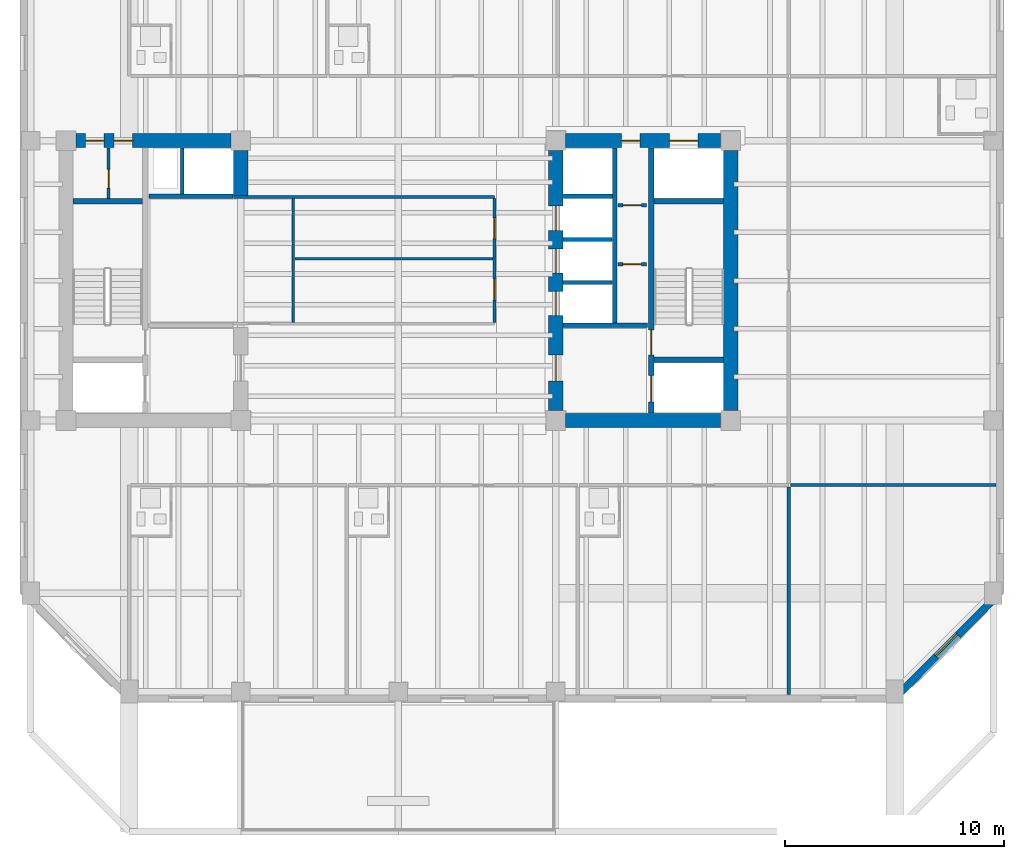
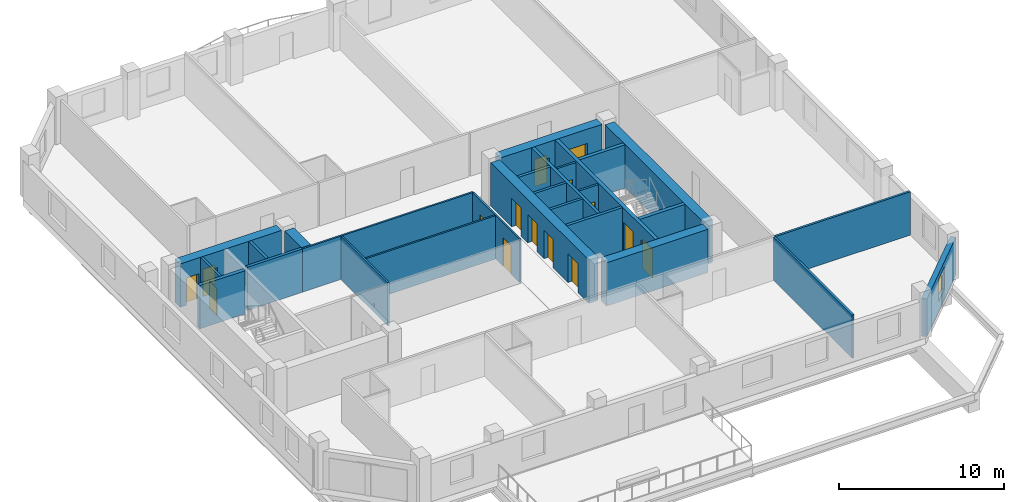
# One storey, part 4 of 10: 27 walls, 15 doors, 1 window, 16 openings.
"""IFC4 building model written with IfcOpenShell, lengths in metres."""

from ifc_helpers import new_model, si_unit, direction, frame, frame_2d, origin, place, context, subcontext, project, spatial, rectangle, extrude, material, layer, layer_set, type_object, element, fill, save


model = new_model("IFC4")

# Units and contexts
model_context = context("Model", 3, precision=1e-05, world=origin(), true_north=direction((0.0, 1.0)))
body_context = subcontext(model_context, "Body", "Model", "MODEL_VIEW")
ifc_project = project(units=[si_unit("LENGTHUNIT", "METRE"), si_unit("AREAUNIT", "SQUARE_METRE"), si_unit("VOLUMEUNIT", "CUBIC_METRE"), si_unit("PLANEANGLEUNIT", "RADIAN"), si_unit("MASSUNIT", "GRAM", prefix="KILO")], contexts=[model_context])

# Site, building, storey
site_placement = place(None, origin())
site = spatial("IfcSite", under=ifc_project, at=site_placement, CompositionType="ELEMENT")
building_placement = place(site_placement, origin())
building = spatial("IfcBuilding", under=site, at=building_placement, Name="Kranthara Brick Stack", CompositionType="ELEMENT")
storey_placement = place(building_placement, frame((0.0, 0.0, 162.300048828125)))
storey = spatial("IfcBuildingStorey", under=building, at=storey_placement, Name="L41", CompositionType="ELEMENT", Elevation=162.300048828125)

# Wall, opening, window
ifc_material_1 = material(Name="Kiln-fired clay brick masonry M15", Category="masonry")
ifc_layer_1 = layer(ifc_material_1, 0.35009765625)
ifc_layer_set_1 = layer_set([ifc_layer_1], Name="Kiln-fired clay brick masonry M15")
wall_type_1 = type_object("IfcWallType", Name="WL-BRK-SPND-350", PredefinedType="STANDARD", material=ifc_layer_set_1)
wall_1_placement = place(storey_placement, frame((55.5048828125, 12.89990234375, 0.0), z_axis=(0.0, 0.0, 1.0), x_axis=(-0.707106781187, -0.707106781187, 0.0)))
wall_1 = element("IfcWall", 1, at=wall_1_placement, inside=storey, type_object=wall_type_1, Name="L41 Exterior Brick Facade Wall SE 1", PredefinedType="STANDARD", context=body_context, shape_type="SweptSolid", body=[
    extrude(rectangle(XDim=6.795166015625, YDim=0.35009765625, at=frame_2d((3.3974609375, 0.0))), origin(), (0.0, 0.0, 1.0), 2.784912109375),
])
opening_1_placement = place(wall_1_placement, frame((2.697998046875, 0.0, 0.75)))
opening_1 = element("IfcOpeningElement", 2, at=opening_1_placement, cuts=wall_1, Name="Opening WN10", PredefinedType="OPENING", context=body_context, shape_type="SweptSolid", body=[
    extrude(rectangle(XDim=1.39990234375, YDim=1.64990234375, at=frame_2d((0.699951171875, 0.824951171875))), frame((0.0, 0.18505859375, 0.0), z_axis=(0.0, -1.0, 0.0), x_axis=(1.0, 0.0, 0.0)), (0.0, 0.0, 1.0), 0.3701171875),
])
ifc_material_2 = material(Name="Double-glazed low-E solar control glass", Category="glass")
window_type = type_object("IfcWindowType", Name="WN-CHM-1400x1750", PartitioningType="SINGLE_PANEL", PredefinedType="WINDOW", material=ifc_material_2)
window_placement = place(opening_1_placement, origin())
window = element("IfcWindow", 3, at=window_placement, inside=storey, type_object=window_type, Name="L41 SE Chamfer Corner Window", OverallHeight=1.64990234375, OverallWidth=1.39990234375, PartitioningType="SINGLE_PANEL", PredefinedType="WINDOW", context=body_context, shape_type="SweptSolid", body=[
    extrude(rectangle(XDim=1.39990234375, YDim=1.64990234375, at=frame_2d((0.699951171875, 0.824951171875))), frame((0.0, -0.010009765625, 0.0), z_axis=(0.0, -1.0, 0.0), x_axis=(1.0, 0.0, 0.0)), (0.0, 0.0, 1.0), 0.06005859375),
])
fill(opening_1, window)

# Wall
ifc_material_3 = material(Name="Concrete C50/60", Category="concrete")
ifc_layer_2 = layer(ifc_material_3, 0.25)
ifc_layer_set_2 = layer_set([ifc_layer_2], Name="Concrete C50/60")
wall_type_2 = type_object("IfcWallType", Name="WL-CORE-250", PredefinedType="SHEAR", material=ifc_layer_set_2)
wall_2_placement = place(storey_placement, frame((13.135009765625, 30.830078125, 0.0), z_axis=(0.0, 0.0, 1.0), x_axis=(1.0, 0.0, 0.0)))
element("IfcWall", 4, at=wall_2_placement, inside=storey, type_object=wall_type_2, Name="L41 West Stairwell Bearing Wall WST", PredefinedType="SHEAR", context=body_context, shape_type="SweptSolid", body=[
    extrude(rectangle(XDim=3.175048828125, YDim=0.25, at=frame_2d((1.58740234375, 0.0))), origin(), (0.0, 0.0, 1.0), 3.199951171875),
])

# Wall, openings, doors
wall_3_placement = place(storey_placement, frame((39.56494140625, 21.135009765625, 0.0), z_axis=(0.0, 0.0, 1.0), x_axis=(0.0, 1.0, 0.0)))
wall_3 = element("IfcWall", 5, at=wall_3_placement, inside=storey, type_object=wall_type_2, Name="L41 East Core Stair Bearing Spine Wall", PredefinedType="SHEAR", context=body_context, shape_type="SweptSolid", body=[
    extrude(rectangle(XDim=12.1298828125, YDim=0.25, at=frame_2d((6.06494140625, 0.0))), origin(), (0.0, 0.0, 1.0), 3.199951171875),
])
opening_2_placement = place(wall_3_placement, frame((0.514892578125, 0.0, 0.0)))
opening_2 = element("IfcOpeningElement", 6, at=opening_2_placement, cuts=wall_3, Name="Opening LD01", PredefinedType="OPENING", context=body_context, shape_type="SweptSolid", body=[
    extrude(rectangle(XDim=1.199951171875, YDim=2.14990234375, at=frame_2d((0.60009765625, 1.074951171875))), frame((0.0, 0.135009765625, 0.0), z_axis=(0.0, -1.0, 0.0), x_axis=(1.0, 0.0, 0.0)), (0.0, 0.0, 1.0), 0.27001953125),
])
opening_3_placement = place(wall_3_placement, frame((2.6650390625, 0.0, 0.0)))
opening_3 = element("IfcOpeningElement", 7, at=opening_3_placement, cuts=wall_3, Name="Opening D05", PredefinedType="OPENING", context=body_context, shape_type="SweptSolid", body=[
    extrude(rectangle(XDim=1.14990234375, YDim=2.14990234375, at=frame_2d((0.574951171875, 1.074951171875))), frame((0.0, 0.135009765625, 0.0), z_axis=(0.0, -1.0, 0.0), x_axis=(1.0, 0.0, 0.0)), (0.0, 0.0, 1.0), 0.27001953125),
])
ifc_material_4 = material(Name="Stainless steel sliding landing door", Category="steel")
door_type_1 = type_object("IfcDoorType", Name="DR-LD-FF1200", OperationType="DOUBLE_DOOR_SLIDING", PredefinedType="DOOR", material=ifc_material_4)
door_1_placement = place(opening_2_placement, origin())
door_1 = element("IfcDoor", 8, at=door_1_placement, inside=storey, type_object=door_type_1, Name="L41 Firefighting Lift FF-02 Landing Door", OperationType="DOUBLE_DOOR_SLIDING", OverallHeight=2.14990234375, OverallWidth=1.199951171875, PredefinedType="DOOR", context=body_context, shape_type="SweptSolid", body=[
    extrude(rectangle(XDim=1.199951171875, YDim=2.14990234375, at=frame_2d((0.60009765625, 1.074951171875))), frame((0.0, 0.02490234375, 0.0), z_axis=(0.0, -1.0, 0.0), x_axis=(1.0, 0.0, 0.0)), (0.0, 0.0, 1.0), 0.050048828125),
])
fill(opening_2, door_1)
ifc_material_5 = material(Name="Solid-core hardwood timber leaf in steel frame", Category="steel")
door_type_2 = type_object("IfcDoorType", Name="DR-ST-1150", OperationType="NOTDEFINED", PredefinedType="DOOR", material=ifc_material_5)
door_2_placement = place(opening_3_placement, origin())
door_2 = element("IfcDoor", 9, at=door_2_placement, inside=storey, type_object=door_type_2, Name="L41 Exit Stair ST02 Door", OperationType="SINGLE_SWING_LEFT", OverallHeight=2.14990234375, OverallWidth=1.14990234375, PredefinedType="DOOR", context=body_context, shape_type="SweptSolid", body=[
    extrude(rectangle(XDim=1.14990234375, YDim=2.14990234375, at=frame_2d((0.574951171875, 1.074951171875))), frame((0.0, 0.02490234375, 0.0), z_axis=(0.0, -1.0, 0.0), x_axis=(1.0, 0.0, 0.0)), (0.0, 0.0, 1.0), 0.050048828125),
])
fill(opening_3, door_2)

# Walls
for number, where, z_axis, x_axis, name in (
    (10, (39.68994140625, 23.570068359375, 0.0), (0.0, 0.0, 1.0), (1.0, 0.0, 0.0), "L41 East Stairwell Bearing Wall EFF"),
    (11, (39.68994140625, 30.830078125, 0.0), (0.0, 0.0, 1.0), (1.0, 0.0, 0.0), "L41 East Stairwell Bearing Wall EST"),
):
    element("IfcWall", number, at=place(storey_placement, frame(where, z_axis=z_axis, x_axis=x_axis)), inside=storey, type_object=wall_type_2, Name=name, PredefinedType="SHEAR", context=body_context, shape_type="SweptSolid", body=[
        extrude(rectangle(XDim=3.175048828125, YDim=0.25, at=frame_2d((1.58740234375, 0.0))), origin(), (0.0, 0.0, 1.0), 3.199951171875),
    ])

# Wall, openings, doors
ifc_material_6 = material(Name="Concrete C60/75", Category="concrete")
ifc_layer_3 = layer(ifc_material_6, 0.64990234375)
ifc_layer_set_3 = layer_set([ifc_layer_3], Name="Concrete C60/75")
wall_type_3 = type_object("IfcWallType", Name="WL-CORE-650", PredefinedType="SHEAR", material=ifc_layer_set_3)
wall_4_placement = place(storey_placement, frame((13.2548828125, 33.60009765625, 0.0), z_axis=(0.0, 0.0, 1.0), x_axis=(1.0, 0.0, 0.0)))
wall_4 = element("IfcWall", 12, at=wall_4_placement, inside=storey, type_object=wall_type_3, Name="L41 West Core Shear Wall North", PredefinedType="SHEAR", context=body_context, shape_type="SweptSolid", body=[
    extrude(rectangle(XDim=7.090087890625, YDim=0.64990234375, at=frame_2d((3.544921875, 0.0))), origin(), (0.0, 0.0, 1.0), 3.199951171875),
])
opening_4_placement = place(wall_4_placement, frame((0.445068359375, 0.0, 0.0)))
opening_4 = element("IfcOpeningElement", 13, at=opening_4_placement, cuts=wall_4, Name="Opening D10", PredefinedType="OPENING", context=body_context, shape_type="SweptSolid", body=[
    extrude(rectangle(XDim=0.85009765625, YDim=2.02001953125, at=frame_2d((0.425048828125, 1.010009765625))), frame((0.0, 0.3349609375, 0.0), z_axis=(0.0, -1.0, 0.0), x_axis=(1.0, 0.0, 0.0)), (0.0, 0.0, 1.0), 0.669921875),
])
opening_5_placement = place(wall_4_placement, frame((1.7451171875, 0.0, 0.0)))
opening_5 = element("IfcOpeningElement", 14, at=opening_5_placement, cuts=wall_4, Name="Opening D10", PredefinedType="OPENING", context=body_context, shape_type="SweptSolid", body=[
    extrude(rectangle(XDim=0.85009765625, YDim=2.02001953125, at=frame_2d((0.425048828125, 1.010009765625))), frame((0.0, 0.3349609375, 0.0), z_axis=(0.0, -1.0, 0.0), x_axis=(1.0, 0.0, 0.0)), (0.0, 0.0, 1.0), 0.669921875),
])
ifc_material_7 = material(Name="Solid-core hardwood timber leaf in steel frame", Category="steel")
door_type_3 = type_object("IfcDoorType", Name="DR-RSR-850", OperationType="NOTDEFINED", PredefinedType="DOOR", material=ifc_material_7)
door_3_placement = place(opening_4_placement, origin())
door_3 = element("IfcDoor", 15, at=door_3_placement, inside=storey, type_object=door_type_3, Name="L41 West Core Service Door 1", OperationType="SINGLE_SWING_LEFT", OverallHeight=2.02001953125, OverallWidth=0.85009765625, PredefinedType="DOOR", context=body_context, shape_type="SweptSolid", body=[
    extrude(rectangle(XDim=0.85009765625, YDim=2.02001953125, at=frame_2d((0.425048828125, 1.010009765625))), frame((0.0, 0.02490234375, 0.0), z_axis=(0.0, -1.0, 0.0), x_axis=(1.0, 0.0, 0.0)), (0.0, 0.0, 1.0), 0.050048828125),
])
fill(opening_4, door_3)
door_4_placement = place(opening_5_placement, origin())
door_4 = element("IfcDoor", 16, at=door_4_placement, inside=storey, type_object=door_type_3, Name="L41 West Core Service Door 2", OperationType="SINGLE_SWING_RIGHT", OverallHeight=2.02001953125, OverallWidth=0.85009765625, PredefinedType="DOOR", context=body_context, shape_type="SweptSolid", body=[
    extrude(rectangle(XDim=0.85009765625, YDim=2.02001953125, at=frame_2d((0.425048828125, 1.010009765625))), frame((0.0, 0.02490234375, 0.0), z_axis=(0.0, -1.0, 0.0), x_axis=(1.0, 0.0, 0.0)), (0.0, 0.0, 1.0), 0.050048828125),
])
fill(opening_5, door_4)

# Walls
wall_5_placement = place(storey_placement, frame((20.800048828125, 31.10009765625, 0.0), z_axis=(0.0, 0.0, 1.0), x_axis=(0.0, 1.0, 0.0)))
element("IfcWall", 17, at=wall_5_placement, inside=storey, type_object=wall_type_3, Name="L41 West Core High-Rise Lift Wall", PredefinedType="SHEAR", context=body_context, shape_type="SweptSolid", body=[
    extrude(rectangle(XDim=2.044921875, YDim=0.64990234375, at=frame_2d((1.0224609375, 0.0))), origin(), (0.0, 0.0, 1.0), 3.199951171875),
])
wall_6_placement = place(storey_placement, frame((43.199951171875, 21.2548828125, 0.0), z_axis=(0.0, 0.0, 1.0), x_axis=(0.0, 1.0, 0.0)))
element("IfcWall", 18, at=wall_6_placement, inside=storey, type_object=wall_type_3, Name="L41 East Core Shear Wall East", PredefinedType="SHEAR", context=body_context, shape_type="SweptSolid", body=[
    extrude(rectangle(XDim=11.89013671875, YDim=0.64990234375, at=frame_2d((5.945068359375, 0.0))), origin(), (0.0, 0.0, 1.0), 3.199951171875),
])
wall_7_placement = place(storey_placement, frame((35.655029296875, 20.800048828125, 0.0), z_axis=(0.0, 0.0, 1.0), x_axis=(1.0, 0.0, 0.0)))
element("IfcWall", 19, at=wall_7_placement, inside=storey, type_object=wall_type_3, Name="L41 East Core Shear Wall South", PredefinedType="SHEAR", context=body_context, shape_type="SweptSolid", body=[
    extrude(rectangle(XDim=7.090087890625, YDim=0.64990234375, at=frame_2d((3.544921875, 0.0))), origin(), (0.0, 0.0, 1.0), 3.199951171875),
])

# Wall, openings, doors
wall_8_placement = place(storey_placement, frame((35.655029296875, 33.60009765625, 0.0), z_axis=(0.0, 0.0, 1.0), x_axis=(1.0, 0.0, 0.0)))
wall_8 = element("IfcWall", 20, at=wall_8_placement, inside=storey, type_object=wall_type_3, Name="L41 East Core Shear Wall North", PredefinedType="SHEAR", context=body_context, shape_type="SweptSolid", body=[
    extrude(rectangle(XDim=7.090087890625, YDim=0.64990234375, at=frame_2d((3.544921875, 0.0))), origin(), (0.0, 0.0, 1.0), 3.199951171875),
])
opening_6_placement = place(wall_8_placement, frame((4.7451171875, 0.0, 0.0)))
opening_6 = element("IfcOpeningElement", 21, at=opening_6_placement, cuts=wall_8, Name="Opening LD03", PredefinedType="OPENING", context=body_context, shape_type="SweptSolid", body=[
    extrude(rectangle(XDim=1.300048828125, YDim=2.14990234375, at=frame_2d((0.64990234375, 1.074951171875))), frame((0.0, 0.3349609375, 0.0), z_axis=(0.0, -1.0, 0.0), x_axis=(1.0, 0.0, 0.0)), (0.0, 0.0, 1.0), 0.669921875),
])
opening_7_placement = place(wall_8_placement, frame((2.544921875, 0.0, 0.0)))
opening_7 = element("IfcOpeningElement", 22, at=opening_7_placement, cuts=wall_8, Name="Opening D10", PredefinedType="OPENING", context=body_context, shape_type="SweptSolid", body=[
    extrude(rectangle(XDim=0.85009765625, YDim=2.02001953125, at=frame_2d((0.425048828125, 1.010009765625))), frame((0.0, 0.3349609375, 0.0), z_axis=(0.0, -1.0, 0.0), x_axis=(1.0, 0.0, 0.0)), (0.0, 0.0, 1.0), 0.669921875),
])
ifc_material_8 = material(Name="Stainless steel sliding landing door", Category="steel")
door_type_4 = type_object("IfcDoorType", Name="DR-LD-SV1300", OperationType="DOUBLE_DOOR_SLIDING", PredefinedType="DOOR", material=ifc_material_8)
door_5_placement = place(opening_6_placement, origin())
door_5 = element("IfcDoor", 23, at=door_5_placement, inside=storey, type_object=door_type_4, Name="L41 Stretcher Service Lift SV-01 Landing Door", OperationType="DOUBLE_DOOR_SLIDING", OverallHeight=2.14990234375, OverallWidth=1.300048828125, PredefinedType="DOOR", context=body_context, shape_type="SweptSolid", body=[
    extrude(rectangle(XDim=1.300048828125, YDim=2.14990234375, at=frame_2d((0.64990234375, 1.074951171875))), frame((0.0, 0.02490234375, 0.0), z_axis=(0.0, -1.0, 0.0), x_axis=(1.0, 0.0, 0.0)), (0.0, 0.0, 1.0), 0.050048828125),
])
fill(opening_6, door_5)
door_6_placement = place(opening_7_placement, origin())
door_6 = element("IfcDoor", 24, at=door_6_placement, inside=storey, type_object=door_type_3, Name="L41 East Core Service Room Door", OperationType="SINGLE_SWING_LEFT", OverallHeight=2.02001953125, OverallWidth=0.85009765625, PredefinedType="DOOR", context=body_context, shape_type="SweptSolid", body=[
    extrude(rectangle(XDim=0.85009765625, YDim=2.02001953125, at=frame_2d((0.425048828125, 1.010009765625))), frame((0.0, 0.02490234375, 0.0), z_axis=(0.0, -1.0, 0.0), x_axis=(1.0, 0.0, 0.0)), (0.0, 0.0, 1.0), 0.050048828125),
])
fill(opening_7, door_6)

wall_9_placement = place(storey_placement, frame((35.199951171875, 21.2548828125, 0.0), z_axis=(0.0, 0.0, 1.0), x_axis=(0.0, 1.0, 0.0)))
wall_9 = element("IfcWall", 25, at=wall_9_placement, inside=storey, type_object=wall_type_3, Name="L41 East Core Shear Wall West", PredefinedType="SHEAR", context=body_context, shape_type="SweptSolid", body=[
    extrude(rectangle(XDim=11.89013671875, YDim=0.64990234375, at=frame_2d((5.945068359375, 0.0))), origin(), (0.0, 0.0, 1.0), 3.199951171875),
])
opening_8_placement = place(wall_9_placement, frame((1.344970703125, 0.0, 0.0)))
opening_8 = element("IfcOpeningElement", 26, at=opening_8_placement, cuts=wall_9, Name="Opening D06", PredefinedType="OPENING", context=body_context, shape_type="SweptSolid", body=[
    extrude(rectangle(XDim=1.199951171875, YDim=2.14990234375, at=frame_2d((0.60009765625, 1.074951171875))), frame((0.0, 0.3349609375, 0.0), z_axis=(0.0, -1.0, 0.0), x_axis=(1.0, 0.0, 0.0)), (0.0, 0.0, 1.0), 0.669921875),
])
opening_9_placement = place(wall_9_placement, frame((4.344970703125, 0.0, 0.0)))
opening_9 = element("IfcOpeningElement", 27, at=opening_9_placement, cuts=wall_9, Name="Opening LD02", PredefinedType="OPENING", context=body_context, shape_type="SweptSolid", body=[
    extrude(rectangle(XDim=1.10009765625, YDim=2.10009765625, at=frame_2d((0.550048828125, 1.050048828125))), frame((0.0, 0.3349609375, 0.0), z_axis=(0.0, -1.0, 0.0), x_axis=(1.0, 0.0, 0.0)), (0.0, 0.0, 1.0), 0.669921875),
])
opening_10_placement = place(wall_9_placement, frame((6.294921875, 0.0, 0.0)))
opening_10 = element("IfcOpeningElement", 28, at=opening_10_placement, cuts=wall_9, Name="Opening LD02", PredefinedType="OPENING", context=body_context, shape_type="SweptSolid", body=[
    extrude(rectangle(XDim=1.10009765625, YDim=2.10009765625, at=frame_2d((0.550048828125, 1.050048828125))), frame((0.0, 0.3349609375, 0.0), z_axis=(0.0, -1.0, 0.0), x_axis=(1.0, 0.0, 0.0)), (0.0, 0.0, 1.0), 0.669921875),
])
opening_11_placement = place(wall_9_placement, frame((8.2451171875, 0.0, 0.0)))
opening_11 = element("IfcOpeningElement", 29, at=opening_11_placement, cuts=wall_9, Name="Opening LD02", PredefinedType="OPENING", context=body_context, shape_type="SweptSolid", body=[
    extrude(rectangle(XDim=1.10009765625, YDim=2.10009765625, at=frame_2d((0.550048828125, 1.050048828125))), frame((0.0, 0.3349609375, 0.0), z_axis=(0.0, -1.0, 0.0), x_axis=(1.0, 0.0, 0.0)), (0.0, 0.0, 1.0), 0.669921875),
])
ifc_material_9 = material(Name="Solid-core hardwood timber leaf in steel frame", Category="steel")
door_type_5 = type_object("IfcDoorType", Name="DR-FFL-1200", OperationType="NOTDEFINED", PredefinedType="DOOR", material=ifc_material_9)
door_7_placement = place(opening_8_placement, origin())
door_7 = element("IfcDoor", 30, at=door_7_placement, inside=storey, type_object=door_type_5, Name="L41 East Firefighting Lobby Door", OperationType="SINGLE_SWING_RIGHT", OverallHeight=2.14990234375, OverallWidth=1.199951171875, PredefinedType="DOOR", context=body_context, shape_type="SweptSolid", body=[
    extrude(rectangle(XDim=1.199951171875, YDim=2.14990234375, at=frame_2d((0.60009765625, 1.074951171875))), frame((0.0, 0.02490234375, 0.0), z_axis=(0.0, -1.0, 0.0), x_axis=(1.0, 0.0, 0.0)), (0.0, 0.0, 1.0), 0.050048828125),
])
fill(opening_8, door_7)
ifc_material_10 = material(Name="Stainless steel sliding landing door", Category="steel")
door_type_6 = type_object("IfcDoorType", Name="DR-LD-PL1100", OperationType="DOUBLE_DOOR_SLIDING", PredefinedType="DOOR", material=ifc_material_10)
door_8_placement = place(opening_9_placement, origin())
door_8 = element("IfcDoor", 31, at=door_8_placement, inside=storey, type_object=door_type_6, Name="L41 PL-04 Lift Landing Door", OperationType="DOUBLE_DOOR_SLIDING", OverallHeight=2.10009765625, OverallWidth=1.10009765625, PredefinedType="DOOR", context=body_context, shape_type="SweptSolid", body=[
    extrude(rectangle(XDim=1.10009765625, YDim=2.10009765625, at=frame_2d((0.550048828125, 1.050048828125))), frame((0.0, 0.02490234375, 0.0), z_axis=(0.0, -1.0, 0.0), x_axis=(1.0, 0.0, 0.0)), (0.0, 0.0, 1.0), 0.050048828125),
])
fill(opening_9, door_8)
door_9_placement = place(opening_10_placement, origin())
door_9 = element("IfcDoor", 32, at=door_9_placement, inside=storey, type_object=door_type_6, Name="L41 PL-05 Lift Landing Door", OperationType="DOUBLE_DOOR_SLIDING", OverallHeight=2.10009765625, OverallWidth=1.10009765625, PredefinedType="DOOR", context=body_context, shape_type="SweptSolid", body=[
    extrude(rectangle(XDim=1.10009765625, YDim=2.10009765625, at=frame_2d((0.550048828125, 1.050048828125))), frame((0.0, 0.02490234375, 0.0), z_axis=(0.0, -1.0, 0.0), x_axis=(1.0, 0.0, 0.0)), (0.0, 0.0, 1.0), 0.050048828125),
])
fill(opening_10, door_9)
door_10_placement = place(opening_11_placement, origin())
door_10 = element("IfcDoor", 33, at=door_10_placement, inside=storey, type_object=door_type_6, Name="L41 PL-06 Lift Landing Door", OperationType="DOUBLE_DOOR_SLIDING", OverallHeight=2.10009765625, OverallWidth=1.10009765625, PredefinedType="DOOR", context=body_context, shape_type="SweptSolid", body=[
    extrude(rectangle(XDim=1.10009765625, YDim=2.10009765625, at=frame_2d((0.550048828125, 1.050048828125))), frame((0.0, 0.02490234375, 0.0), z_axis=(0.0, -1.0, 0.0), x_axis=(1.0, 0.0, 0.0)), (0.0, 0.0, 1.0), 0.050048828125),
])
fill(opening_11, door_10)

# Wall
ifc_material_11 = material(Name="Acoustic gypsum plasterboard partition", Category="other")
ifc_layer_4 = layer(ifc_material_11, 0.1201171875)
ifc_layer_set_4 = layer_set([ifc_layer_4], Name="Acoustic gypsum plasterboard partition")
wall_type_4 = type_object("IfcWallType", Name="WL-PART-120", PredefinedType="PARTITIONING", material=ifc_layer_set_4)
wall_10_placement = place(storey_placement, frame((20.4599609375, 31.02001953125, 0.0), z_axis=(0.0, 0.0, 1.0), x_axis=(1.0, 0.0, 0.0)))
element("IfcWall", 34, at=wall_10_placement, inside=storey, type_object=wall_type_4, Name="L41 Interior Partition 005", PredefinedType="PARTITIONING", context=body_context, shape_type="SweptSolid", body=[
    extrude(rectangle(XDim=11.93994140625, YDim=0.1201171875, at=frame_2d((5.969970703125, 0.0))), origin(), (0.0, 0.0, 1.0), 3.199951171875),
])

# Wall, openings, doors
wall_11_placement = place(storey_placement, frame((32.39990234375, 25.284912109375, 0.0), z_axis=(0.0, 0.0, 1.0), x_axis=(0.0, 1.0, 0.0)))
wall_11 = element("IfcWall", 35, at=wall_11_placement, inside=storey, type_object=wall_type_4, Name="L41 Interior Partition 006", PredefinedType="PARTITIONING", context=body_context, shape_type="SweptSolid", body=[
    extrude(rectangle(XDim=5.670166015625, YDim=0.1201171875, at=frame_2d((2.8349609375, 0.0))), origin(), (0.0, 0.0, 1.0), 3.199951171875),
])
opening_12_placement = place(wall_11_placement, frame((1.034912109375, 0.0, 0.0)))
opening_12 = element("IfcOpeningElement", 36, at=opening_12_placement, cuts=wall_11, Name="Opening D14", PredefinedType="OPENING", context=body_context, shape_type="SweptSolid", body=[
    extrude(rectangle(XDim=0.949951171875, YDim=2.10009765625, at=frame_2d((0.47509765625, 1.050048828125))), frame((0.0, 0.070068359375, 0.0), z_axis=(0.0, -1.0, 0.0), x_axis=(1.0, 0.0, 0.0)), (0.0, 0.0, 1.0), 0.14013671875),
])
opening_13_placement = place(wall_11_placement, frame((3.8349609375, 0.0, 0.0)))
opening_13 = element("IfcOpeningElement", 37, at=opening_13_placement, cuts=wall_11, Name="Opening D14", PredefinedType="OPENING", context=body_context, shape_type="SweptSolid", body=[
    extrude(rectangle(XDim=0.949951171875, YDim=2.10009765625, at=frame_2d((0.47509765625, 1.050048828125))), frame((0.0, 0.070068359375, 0.0), z_axis=(0.0, -1.0, 0.0), x_axis=(1.0, 0.0, 0.0)), (0.0, 0.0, 1.0), 0.14013671875),
])
ifc_material_12 = material(Name="Solid-core hardwood timber leaf in steel frame", Category="steel")
door_type_7 = type_object("IfcDoorType", Name="DR-INT-950", OperationType="NOTDEFINED", PredefinedType="DOOR", material=ifc_material_12)
door_11_placement = place(opening_12_placement, origin())
door_11 = element("IfcDoor", 38, at=door_11_placement, inside=storey, type_object=door_type_7, Name="L41 Housekeeping Linen Door 05", OperationType="SINGLE_SWING_LEFT", OverallHeight=2.10009765625, OverallWidth=0.949951171875, PredefinedType="DOOR", context=body_context, shape_type="SweptSolid", body=[
    extrude(rectangle(XDim=0.949951171875, YDim=2.10009765625, at=frame_2d((0.47509765625, 1.050048828125))), frame((0.0, 0.02490234375, 0.0), z_axis=(0.0, -1.0, 0.0), x_axis=(1.0, 0.0, 0.0)), (0.0, 0.0, 1.0), 0.050048828125),
])
fill(opening_12, door_11)
door_12_placement = place(opening_13_placement, origin())
door_12 = element("IfcDoor", 39, at=door_12_placement, inside=storey, type_object=door_type_7, Name="L41 Pantry Door 06", OperationType="SINGLE_SWING_RIGHT", OverallHeight=2.10009765625, OverallWidth=0.949951171875, PredefinedType="DOOR", context=body_context, shape_type="SweptSolid", body=[
    extrude(rectangle(XDim=0.949951171875, YDim=2.10009765625, at=frame_2d((0.47509765625, 1.050048828125))), frame((0.0, 0.02490234375, 0.0), z_axis=(0.0, -1.0, 0.0), x_axis=(1.0, 0.0, 0.0)), (0.0, 0.0, 1.0), 0.050048828125),
])
fill(opening_13, door_12)

# Walls
wall_12_placement = place(storey_placement, frame((23.199951171875, 25.284912109375, 0.0), z_axis=(0.0, 0.0, 1.0), x_axis=(0.0, 1.0, 0.0)))
element("IfcWall", 40, at=wall_12_placement, inside=storey, type_object=wall_type_4, Name="L41 Interior Partition 007", PredefinedType="PARTITIONING", context=body_context, shape_type="SweptSolid", body=[
    extrude(rectangle(XDim=5.670166015625, YDim=0.1201171875, at=frame_2d((2.8349609375, 0.0))), origin(), (0.0, 0.0, 1.0), 3.199951171875),
])
wall_13_placement = place(storey_placement, frame((23.264892578125, 28.199951171875, 0.0), z_axis=(0.0, 0.0, 1.0), x_axis=(1.0, 0.0, 0.0)))
element("IfcWall", 41, at=wall_13_placement, inside=storey, type_object=wall_type_4, Name="L41 Interior Partition 008", PredefinedType="PARTITIONING", context=body_context, shape_type="SweptSolid", body=[
    extrude(rectangle(XDim=9.070068359375, YDim=0.1201171875, at=frame_2d((4.53515625, 0.0))), origin(), (0.0, 0.0, 1.0), 3.199951171875),
])

# Wall, opening, door
ifc_material_13 = material(Name="Fire-rated gypsum board partition", Category="other")
ifc_layer_5 = layer(ifc_material_13, 0.14990234375)
ifc_layer_set_5 = layer_set([ifc_layer_5], Name="Fire-rated gypsum board partition")
wall_type_5 = type_object("IfcWallType", Name="WL-PART-150", PredefinedType="PARTITIONING", material=ifc_layer_set_5)
wall_14_placement = place(storey_placement, frame((14.75, 30.9599609375, 0.0), z_axis=(0.0, 0.0, 1.0), x_axis=(0.0, 1.0, 0.0)))
wall_14 = element("IfcWall", 42, at=wall_14_placement, inside=storey, type_object=wall_type_5, Name="L41 Interior Partition 001", PredefinedType="PARTITIONING", context=body_context, shape_type="SweptSolid", body=[
    extrude(rectangle(XDim=2.31005859375, YDim=0.14990234375, at=frame_2d((1.155029296875, 0.0))), origin(), (0.0, 0.0, 1.0), 3.199951171875),
])
opening_14_placement = place(wall_14_placement, frame((0.469970703125, 0.0, 0.0)))
opening_14 = element("IfcOpeningElement", 43, at=opening_14_placement, cuts=wall_14, Name="Opening D10", PredefinedType="OPENING", context=body_context, shape_type="SweptSolid", body=[
    extrude(rectangle(XDim=0.85009765625, YDim=2.02001953125, at=frame_2d((0.425048828125, 1.010009765625))), frame((0.0, 0.0849609375, 0.0), z_axis=(0.0, -1.0, 0.0), x_axis=(1.0, 0.0, 0.0)), (0.0, 0.0, 1.0), 0.169921875),
])
door_13_placement = place(opening_14_placement, origin())
door_13 = element("IfcDoor", 44, at=door_13_placement, inside=storey, type_object=door_type_3, Name="L41 Service Interconnect 01", OperationType="SINGLE_SWING_LEFT", OverallHeight=2.02001953125, OverallWidth=0.85009765625, PredefinedType="DOOR", context=body_context, shape_type="SweptSolid", body=[
    extrude(rectangle(XDim=0.85009765625, YDim=2.02001953125, at=frame_2d((0.425048828125, 1.010009765625))), frame((0.0, 0.02490234375, 0.0), z_axis=(0.0, -1.0, 0.0), x_axis=(1.0, 0.0, 0.0)), (0.0, 0.0, 1.0), 0.050048828125),
])
fill(opening_14, door_13)

wall_15_placement = place(storey_placement, frame((38.050048828125, 27.949951171875, 0.0), z_axis=(0.0, 0.0, 1.0), x_axis=(1.0, 0.0, 0.0)))
wall_15 = element("IfcWall", 45, at=wall_15_placement, inside=storey, type_object=wall_type_5, Name="L41 Interior Partition 002", PredefinedType="PARTITIONING", context=body_context, shape_type="SweptSolid", body=[
    extrude(rectangle(XDim=1.300048828125, YDim=0.14990234375, at=frame_2d((0.64990234375, 0.0))), origin(), (0.0, 0.0, 1.0), 3.199951171875),
])
opening_15_placement = place(wall_15_placement, frame((0.219970703125, 0.0, 0.0)))
opening_15 = element("IfcOpeningElement", 46, at=opening_15_placement, cuts=wall_15, Name="Opening D10", PredefinedType="OPENING", context=body_context, shape_type="SweptSolid", body=[
    extrude(rectangle(XDim=0.85009765625, YDim=2.02001953125, at=frame_2d((0.425048828125, 1.010009765625))), frame((0.0, 0.0849609375, 0.0), z_axis=(0.0, -1.0, 0.0), x_axis=(1.0, 0.0, 0.0)), (0.0, 0.0, 1.0), 0.169921875),
])
door_14_placement = place(opening_15_placement, origin())
door_14 = element("IfcDoor", 47, at=door_14_placement, inside=storey, type_object=door_type_3, Name="L41 Riser Door 1 02", OperationType="SINGLE_SWING_RIGHT", OverallHeight=2.02001953125, OverallWidth=0.85009765625, PredefinedType="DOOR", context=body_context, shape_type="SweptSolid", body=[
    extrude(rectangle(XDim=0.85009765625, YDim=2.02001953125, at=frame_2d((0.425048828125, 1.010009765625))), frame((0.0, 0.02490234375, 0.0), z_axis=(0.0, -1.0, 0.0), x_axis=(1.0, 0.0, 0.0)), (0.0, 0.0, 1.0), 0.050048828125),
])
fill(opening_15, door_14)

wall_16_placement = place(storey_placement, frame((38.050048828125, 30.64990234375, 0.0), z_axis=(0.0, 0.0, 1.0), x_axis=(1.0, 0.0, 0.0)))
wall_16 = element("IfcWall", 48, at=wall_16_placement, inside=storey, type_object=wall_type_5, Name="L41 Interior Partition 003", PredefinedType="PARTITIONING", context=body_context, shape_type="SweptSolid", body=[
    extrude(rectangle(XDim=1.300048828125, YDim=0.14990234375, at=frame_2d((0.64990234375, 0.0))), origin(), (0.0, 0.0, 1.0), 3.199951171875),
])
opening_16_placement = place(wall_16_placement, frame((0.219970703125, 0.0, 0.0)))
opening_16 = element("IfcOpeningElement", 49, at=opening_16_placement, cuts=wall_16, Name="Opening D10", PredefinedType="OPENING", context=body_context, shape_type="SweptSolid", body=[
    extrude(rectangle(XDim=0.85009765625, YDim=2.02001953125, at=frame_2d((0.425048828125, 1.010009765625))), frame((0.0, 0.0849609375, 0.0), z_axis=(0.0, -1.0, 0.0), x_axis=(1.0, 0.0, 0.0)), (0.0, 0.0, 1.0), 0.169921875),
])
door_15_placement = place(opening_16_placement, origin())
door_15 = element("IfcDoor", 50, at=door_15_placement, inside=storey, type_object=door_type_3, Name="L41 Riser Door 2 03", OperationType="SINGLE_SWING_LEFT", OverallHeight=2.02001953125, OverallWidth=0.85009765625, PredefinedType="DOOR", context=body_context, shape_type="SweptSolid", body=[
    extrude(rectangle(XDim=0.85009765625, YDim=2.02001953125, at=frame_2d((0.425048828125, 1.010009765625))), frame((0.0, 0.02490234375, 0.0), z_axis=(0.0, -1.0, 0.0), x_axis=(1.0, 0.0, 0.0)), (0.0, 0.0, 1.0), 0.050048828125),
])
fill(opening_16, door_15)

# Walls
wall_17_placement = place(storey_placement, frame((45.85009765625, 8.27490234375, 0.0), z_axis=(0.0, 0.0, 1.0), x_axis=(0.0, 1.0, 0.0)))
element("IfcWall", 51, at=wall_17_placement, inside=storey, type_object=wall_type_5, Name="L41 Interior Partition 024", PredefinedType="PARTITIONING", context=body_context, shape_type="SweptSolid", body=[
    extrude(rectangle(XDim=9.4951171875, YDim=0.14990234375, at=frame_2d((4.74755859375, 0.0))), origin(), (0.0, 0.0, 1.0), 3.199951171875),
])
wall_18_placement = place(storey_placement, frame((45.929931640625, 17.85009765625, 0.0), z_axis=(0.0, 0.0, 1.0), x_axis=(1.0, 0.0, 0.0)))
element("IfcWall", 52, at=wall_18_placement, inside=storey, type_object=wall_type_5, Name="L41 Interior Partition 038", PredefinedType="PARTITIONING", context=body_context, shape_type="SweptSolid", body=[
    extrude(rectangle(XDim=9.39501953125, YDim=0.14990234375, at=frame_2d((4.697509765625, 0.0))), origin(), (0.0, 0.0, 1.0), 3.199951171875),
])
ifc_material_14 = material(Name="Gypsum plasterboard on acoustic twin stud", Category="other")
ifc_layer_6 = layer(ifc_material_14, 0.179931640625)
ifc_layer_set_6 = layer_set([ifc_layer_6], Name="Gypsum plasterboard on acoustic twin stud")
wall_type_6 = type_object("IfcWallType", Name="WL-PART-180", PredefinedType="PARTITIONING", material=ifc_layer_set_6)
wall_19_placement = place(storey_placement, frame((18.1201171875, 31.169921875, 0.0), z_axis=(0.0, 0.0, 1.0), x_axis=(0.0, 1.0, 0.0)))
element("IfcWall", 53, at=wall_19_placement, inside=storey, type_object=wall_type_6, Name="L41 PL-07 Shaft Back Wall", PredefinedType="PARTITIONING", context=body_context, shape_type="SweptSolid", body=[
    extrude(rectangle(XDim=2.094970703125, YDim=0.179931640625, at=frame_2d((1.04736328125, 0.0))), origin(), (0.0, 0.0, 1.0), 3.199951171875),
])
for number, where, z_axis, x_axis, name in (
    (54, (35.534912109375, 27.1201171875, 0.0), (0.0, 0.0, 1.0), (1.0, 0.0, 0.0), "L41 East Hoistway Wall EH1"),
    (55, (35.534912109375, 29.080078125, 0.0), (0.0, 0.0, 1.0), (1.0, 0.0, 0.0), "L41 East Hoistway Wall EH2"),
):
    element("IfcWall", number, at=place(storey_placement, frame(where, z_axis=z_axis, x_axis=x_axis)), inside=storey, type_object=wall_type_6, Name=name, PredefinedType="PARTITIONING", context=body_context, shape_type="SweptSolid", body=[
        extrude(rectangle(XDim=2.2451171875, YDim=0.179931640625, at=frame_2d((1.12255859375, 0.0))), origin(), (0.0, 0.0, 1.0), 3.199951171875),
    ])
ifc_material_15 = material(Name="Concrete C40/50", Category="concrete")
ifc_layer_7 = layer(ifc_material_15, 0.199951171875)
ifc_layer_set_7 = layer_set([ifc_layer_7], Name="Concrete C40/50")
wall_type_7 = type_object("IfcWallType", Name="WL-PART-200", PredefinedType="SOLIDWALL", material=ifc_layer_set_7)
wall_20_placement = place(storey_placement, frame((16.60009765625, 31.050048828125, 0.0), z_axis=(0.0, 0.0, 1.0), x_axis=(1.0, 0.0, 0.0)))
element("IfcWall", 56, at=wall_20_placement, inside=storey, type_object=wall_type_7, Name="L41 West Core Cross Wall WH4", PredefinedType="SOLIDWALL", context=body_context, shape_type="SweptSolid", body=[
    extrude(rectangle(XDim=3.849853515625, YDim=0.199951171875, at=frame_2d((1.9248046875, 0.0))), origin(), (0.0, 0.0, 1.0), 3.199951171875),
])
wall_21_placement = place(storey_placement, frame((35.534912109375, 25.14990234375, 0.0), z_axis=(0.0, 0.0, 1.0), x_axis=(1.0, 0.0, 0.0)))
element("IfcWall", 57, at=wall_21_placement, inside=storey, type_object=wall_type_7, Name="L41 East Core Cross Wall EFL", PredefinedType="SOLIDWALL", context=body_context, shape_type="SweptSolid", body=[
    extrude(rectangle(XDim=3.864990234375, YDim=0.199951171875, at=frame_2d((1.9326171875, 0.0))), origin(), (0.0, 0.0, 1.0), 3.199951171875),
])
wall_22_placement = place(storey_placement, frame((35.550048828125, 31.050048828125, 0.0), z_axis=(0.0, 0.0, 1.0), x_axis=(1.0, 0.0, 0.0)))
element("IfcWall", 58, at=wall_22_placement, inside=storey, type_object=wall_type_7, Name="L41 East Core Cross Wall EE4", PredefinedType="SOLIDWALL", context=body_context, shape_type="SweptSolid", body=[
    extrude(rectangle(XDim=2.25, YDim=0.199951171875, at=frame_2d((1.125, 0.0))), origin(), (0.0, 0.0, 1.0), 3.199951171875),
])
wall_23_placement = place(storey_placement, frame((37.89990234375, 25.27001953125, 0.0), z_axis=(0.0, 0.0, 1.0), x_axis=(0.0, 1.0, 0.0)))
element("IfcWall", 59, at=wall_23_placement, inside=storey, type_object=wall_type_7, Name="L41 East Core Cross Wall ESV", PredefinedType="SOLIDWALL", context=body_context, shape_type="SweptSolid", body=[
    extrude(rectangle(XDim=7.994873046875, YDim=0.199951171875, at=frame_2d((3.99755859375, 0.0))), origin(), (0.0, 0.0, 1.0), 3.199951171875),
])

save(model, "model.ifc")
